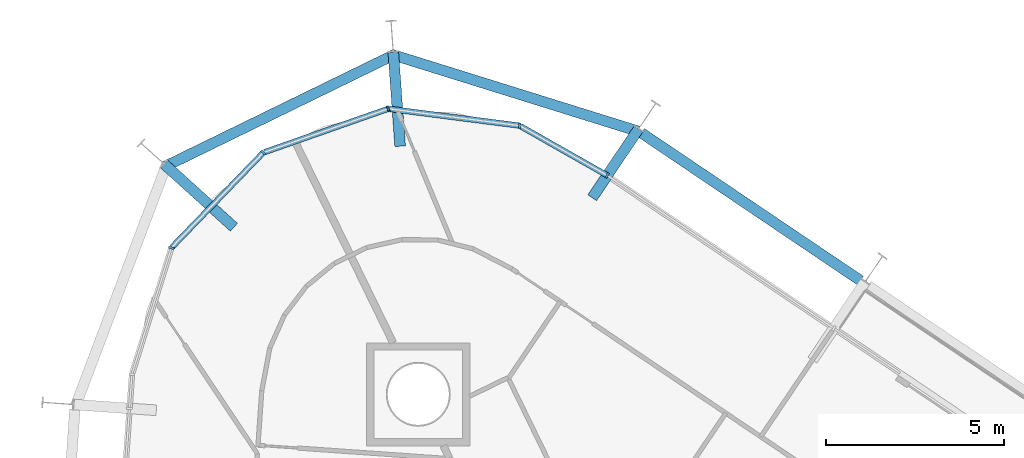
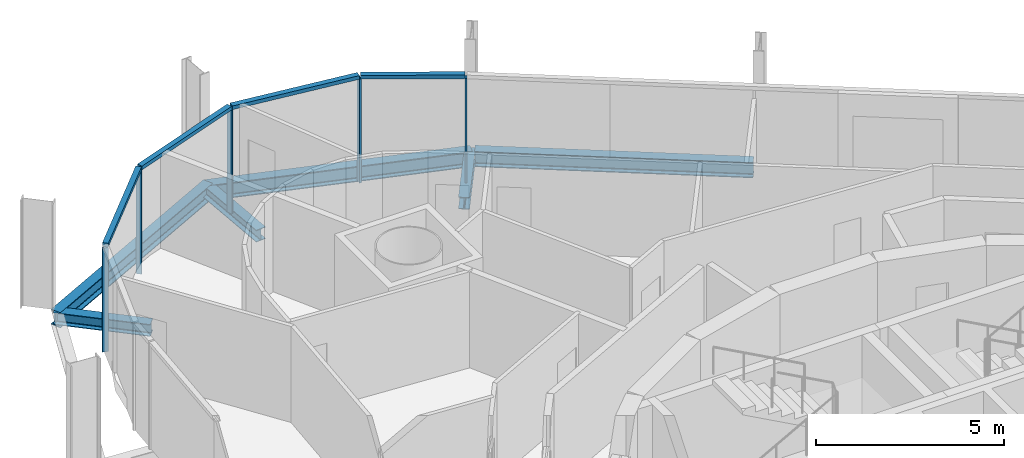
# One storey, part 8 of 18: 9 members, 6 beams, 1 element without a shape of its own.
"""IFC4 building model written with IfcOpenShell, lengths in metres."""

from ifc_helpers import new_model, si_unit, direction, frame, origin, origin_2d, place, context, subcontext, project, spatial, rectangle, i_section, extrude, material, layer, layer_set, material_profile, profile_set, type_object, element, aggregate, save


model = new_model("IFC4")

# Units and contexts
model_context = context("Model", 3, precision=1e-05, world=origin(), true_north=direction((0.0, 1.0)))
body_context = subcontext(model_context, "Body", "Model", "MODEL_VIEW")
ifc_project = project(units=[si_unit("LENGTHUNIT", "METRE"), si_unit("AREAUNIT", "SQUARE_METRE"), si_unit("VOLUMEUNIT", "CUBIC_METRE"), si_unit("PLANEANGLEUNIT", "RADIAN"), si_unit("MASSUNIT", "GRAM", prefix="KILO")], contexts=[model_context])

# Site, building, storey
site_placement = place(None, origin())
site = spatial("IfcSite", under=ifc_project, at=site_placement, CompositionType="ELEMENT")
building_placement = place(site_placement, origin())
building = spatial("IfcBuilding", under=site, at=building_placement, Name="Spindle Arch Residences", CompositionType="ELEMENT")
storey_placement = place(building_placement, frame((0.0, 0.0, 198.89990234375)))
storey = spatial("IfcBuildingStorey", under=building, at=storey_placement, Name="L50", CompositionType="ELEMENT", Elevation=198.89990234375)

# Curtain wall, members
ifc_material_1 = material(Name="Aluminium bronze unitised frame with tinted glass", Category="aluminium")
ifc_layer = layer(ifc_material_1, 0.159912109375)
ifc_layer_set = layer_set([ifc_layer], Name="CW-D corner wall on the fillet arcs")
curtain_wall_type = type_object("IfcCurtainWallType", Name="CW-D corner wall on the fillet arcs", PredefinedType="NOTDEFINED", material=ifc_layer_set)
curtain_wall_placement = place(storey_placement, origin())
curtain_wall = element("IfcCurtainWall", 1, at=curtain_wall_placement, inside=storey, type_object=curtain_wall_type, Name="CW-D L50 run 3", PredefinedType="NOTDEFINED")
ifc_material_2 = material(Name="Aluminium bronze anodised mullion", Category="aluminium")
ifc_material_profile_1 = material_profile(ifc_material_2, rectangle(XDim=0.159912109375, YDim=0.06005859375, at=origin_2d()), Name="MU 60x160")
ifc_profile_set_1 = profile_set([ifc_material_profile_1], Name="Aluminium bronze anodised mullion")
member_type_1 = type_object("IfcMemberType", Name="Bronze mullion 60x160", PredefinedType="MULLION", material=ifc_profile_set_1)
member_1_placement = place(storey_placement, frame((-3.608642578125, 24.46044921875, -0.3798828125), z_axis=(0.0, 0.0, 1.0), x_axis=(-0.493864780547, -0.86953871595, 0.0)))
member_1 = element("IfcMember", 2, at=member_1_placement, type_object=member_type_1, Name="CW-D mullion 00", PredefinedType="MULLION", context=body_context, shape_type="SweptSolid", body=[
    extrude(rectangle(XDim=0.159912109375, YDim=0.06005859375, at=origin_2d()), origin(), (0.0, 0.0, 1.0), 3.3798828125),
])
member_2_placement = place(storey_placement, frame((-6.07421875, 25.86083984375, -0.3798828125), z_axis=(0.0, 0.0, 1.0), x_axis=(-0.127641651888, -0.991820351023, 0.0)))
member_2 = element("IfcMember", 3, at=member_2_placement, type_object=member_type_1, Name="CW-D mullion 01", PredefinedType="MULLION", context=body_context, shape_type="SweptSolid", body=[
    extrude(rectangle(XDim=0.159912109375, YDim=0.06005859375, at=origin_2d()), origin(), (0.0, 0.0, 1.0), 3.3798828125),
])
member_3_placement = place(storey_placement, frame((-9.7705078125, 26.336669921875, -0.3798828125), z_axis=(0.0, 0.0, 1.0), x_axis=(0.331063412445, -0.943608508302, 0.0)))
member_3 = element("IfcMember", 4, at=member_3_placement, type_object=member_type_1, Name="CW-D mullion 02", PredefinedType="MULLION", context=body_context, shape_type="SweptSolid", body=[
    extrude(rectangle(XDim=0.159912109375, YDim=0.06005859375, at=origin_2d()), origin(), (0.0, 0.0, 1.0), 3.3798828125),
])
member_4_placement = place(storey_placement, frame((-13.287109375, 25.102783203125, -0.3798828125), z_axis=(0.0, 0.0, 1.0), x_axis=(0.719339801939, -0.694658368802, 0.0)))
member_4 = element("IfcMember", 5, at=member_4_placement, type_object=member_type_1, Name="CW-D mullion 03", PredefinedType="MULLION", context=body_context, shape_type="SweptSolid", body=[
    extrude(rectangle(XDim=0.159912109375, YDim=0.06005859375, at=origin_2d()), origin(), (0.0, 0.0, 1.0), 3.3798828125),
])
member_5_placement = place(storey_placement, frame((-15.8759765625, 22.421875, -0.3798828125), z_axis=(0.0, 0.0, 1.0), x_axis=(0.954587634064, -0.297930275218, 0.0)))
member_5 = element("IfcMember", 6, at=member_5_placement, type_object=member_type_1, Name="CW-D mullion 04", PredefinedType="MULLION", context=body_context, shape_type="SweptSolid", body=[
    extrude(rectangle(XDim=0.159912109375, YDim=0.06005859375, at=origin_2d()), origin(), (0.0, 0.0, 1.0), 3.3798828125),
])
ifc_material_3 = material(Name="Aluminium bronze anodised transom", Category="aluminium")
ifc_material_profile_2 = material_profile(ifc_material_3, rectangle(XDim=0.159912109375, YDim=0.1201171875, at=origin_2d()), Name="TR 120x160")
ifc_profile_set_2 = profile_set([ifc_material_profile_2], Name="Aluminium bronze anodised transom")
member_type_2 = type_object("IfcMemberType", Name="Bronze transom 120x160", PredefinedType="USERDEFINED", material=ifc_profile_set_2)
member_6_placement = place(storey_placement, frame((-3.634521484375, 24.475341796875, 3.06005859375), z_axis=(-0.869571592644, 0.493806890664, 0.0), x_axis=(-0.493806890664, -0.869571592644, 0.0)))
member_6 = element("IfcMember", 7, at=member_6_placement, type_object=member_type_2, Name="CW-D transom 00", ObjectType="TRANSOM", PredefinedType="USERDEFINED", context=body_context, shape_type="SweptSolid", body=[
    extrude(rectangle(XDim=0.159912109375, YDim=0.1201171875, at=origin_2d()), origin(), (0.0, 0.0, 1.0), 2.775634765625),
])
member_7_placement = place(storey_placement, frame((-6.10400390625, 25.86474609375, 3.06005859375), z_axis=(-0.991820609669, 0.127639642101, 0.0), x_axis=(-0.127639642101, -0.991820609669, 0.0)))
member_7 = element("IfcMember", 8, at=member_7_placement, type_object=member_type_2, Name="CW-D transom 01", ObjectType="TRANSOM", PredefinedType="USERDEFINED", context=body_context, shape_type="SweptSolid", body=[
    extrude(rectangle(XDim=0.159912109375, YDim=0.1201171875, at=origin_2d()), origin(), (0.0, 0.0, 1.0), 3.666748046875),
])
member_8_placement = place(storey_placement, frame((-9.798828125, 26.32666015625, 3.06005859375), z_axis=(-0.943613119154, -0.331050270141, 0.0), x_axis=(0.331050270141, -0.943613119154, 0.0)))
member_8 = element("IfcMember", 9, at=member_8_placement, type_object=member_type_2, Name="CW-D transom 02", ObjectType="TRANSOM", PredefinedType="USERDEFINED", context=body_context, shape_type="SweptSolid", body=[
    extrude(rectangle(XDim=0.159912109375, YDim=0.1201171875, at=origin_2d()), origin(), (0.0, 0.0, 1.0), 3.666748046875),
])
member_9_placement = place(storey_placement, frame((-13.307861328125, 25.081298828125, 3.06005859375), z_axis=(-0.694647982093, -0.719349832122, 0.0), x_axis=(0.719349832122, -0.694647982093, 0.0)))
member_9 = element("IfcMember", 10, at=member_9_placement, type_object=member_type_2, Name="CW-D transom 03", ObjectType="TRANSOM", PredefinedType="USERDEFINED", context=body_context, shape_type="SweptSolid", body=[
    extrude(rectangle(XDim=0.159912109375, YDim=0.1201171875, at=origin_2d()), origin(), (0.0, 0.0, 1.0), 3.666748046875),
])
aggregate(curtain_wall, [member_1, member_6, member_2, member_7, member_3, member_8, member_4, member_9, member_5])

# Beams
ifc_material_4 = material(Name="Steel S460ML, intumescent coating R 120", Category="steel")
ifc_material_profile_3 = material_profile(ifc_material_4, i_section(OverallWidth=0.300048828125, OverallDepth=0.5, WebThickness=0.014404296875, FlangeThickness=0.028076171875, FilletRadius=0.027099609375, at=origin_2d()), Name="HEB 500")
ifc_profile_set_3 = profile_set([ifc_material_profile_3], Name="Steel S460ML, intumescent coating R 120")
beam_type_1 = type_object("IfcBeamType", Name="Exoskeleton edge beam HEB 500", PredefinedType="BEAM", material=ifc_profile_set_3)
beam_1_placement = place(storey_placement, frame((3.517578125, 21.499267578125, -0.6298828125), z_axis=(-0.829031763913, 0.55920151504, 0.0), x_axis=(-0.55920151504, -0.829031763913, 0.0)))
element("IfcBeam", 11, at=beam_1_placement, inside=storey, type_object=beam_type_1, Name="Exoskeleton edge beam 9", PredefinedType="BEAM", context=body_context, shape_type="SweptSolid", body=[
    extrude(i_section(OverallWidth=0.300048828125, OverallDepth=0.5, WebThickness=0.014404296875, FlangeThickness=0.028076171875, FilletRadius=0.027099609375, at=origin_2d()), origin(), (0.0, 0.0, 1.0), 7.433837890625),
])
beam_2_placement = place(storey_placement, frame((-2.729248046875, 25.7001953125, -0.6298828125), z_axis=(-0.954689668885, 0.297603152072, 0.0), x_axis=(-0.297603152072, -0.954689668885, 0.0)))
element("IfcBeam", 12, at=beam_2_placement, inside=storey, type_object=beam_type_1, Name="Exoskeleton edge beam 10", PredefinedType="BEAM", context=body_context, shape_type="SweptSolid", body=[
    extrude(i_section(OverallWidth=0.300048828125, OverallDepth=0.5, WebThickness=0.014404296875, FlangeThickness=0.028076171875, FilletRadius=0.027099609375, at=origin_2d()), origin(), (0.0, 0.0, 1.0), 7.263427734375),
])
beam_3_placement = place(storey_placement, frame((-9.563720703125, 27.876708984375, -0.6298828125), z_axis=(-0.89878236333, -0.438395099616, 0.0), x_axis=(0.438395099616, -0.89878236333, 0.0)))
element("IfcBeam", 13, at=beam_3_placement, inside=storey, type_object=beam_type_1, Name="Exoskeleton edge beam 11", PredefinedType="BEAM", context=body_context, shape_type="SweptSolid", body=[
    extrude(i_section(OverallWidth=0.300048828125, OverallDepth=0.5, WebThickness=0.014404296875, FlangeThickness=0.028076171875, FilletRadius=0.027099609375, at=origin_2d()), origin(), (0.0, 0.0, 1.0), 7.2490234375),
])
ifc_material_5 = material(Name="Steel S460ML, intumescent coating R 120", Category="steel")
ifc_material_profile_4 = material_profile(ifc_material_5, i_section(OverallWidth=0.300048828125, OverallDepth=0.389892578125, WebThickness=0.010986328125, FlangeThickness=0.01904296875, FilletRadius=0.027099609375, at=origin_2d()), Name="HEA 400")
ifc_profile_set_4 = profile_set([ifc_material_profile_4], Name="Steel S460ML, intumescent coating R 120")
beam_type_2 = type_object("IfcBeamType", Name="Floor outrigger HEA 400", PredefinedType="BEAM", material=ifc_profile_set_4)
beam_4_placement = place(storey_placement, frame((-2.730712890625, 25.761962890625, -0.574951171875), z_axis=(-0.559170171593, -0.829052904947, 0.0), x_axis=(0.829052904947, -0.559170171593, 0.0)))
element("IfcBeam", 14, at=beam_4_placement, inside=storey, type_object=beam_type_2, Name="Floor outrigger 10", PredefinedType="BEAM", context=body_context, shape_type="SweptSolid", body=[
    extrude(i_section(OverallWidth=0.300048828125, OverallDepth=0.389892578125, WebThickness=0.010986328125, FlangeThickness=0.01904296875, FilletRadius=0.027099609375, at=origin_2d()), origin(), (0.0, 0.0, 1.0), 2.32763671875),
])
for number, where, z_axis, x_axis, name in (
    (15, (-9.62890625, 27.92529296875, -0.574951171875), (0.072870594007, -0.997341404199, 0.0), (0.997341404199, 0.072870594007, 0.0), "Floor outrigger 11"),
    (16, (-16.0771484375, 24.780029296875, -0.574951171875), (0.741072898018, -0.671424574932, 0.0), (0.671424574932, 0.741072898018, 0.0), "Floor outrigger 12"),
):
    element("IfcBeam", number, at=place(storey_placement, frame(where, z_axis=z_axis, x_axis=x_axis)), inside=storey, type_object=beam_type_2, Name=name, PredefinedType="BEAM", context=body_context, shape_type="SweptSolid", body=[
        extrude(i_section(OverallWidth=0.300048828125, OverallDepth=0.389892578125, WebThickness=0.010986328125, FlangeThickness=0.01904296875, FilletRadius=0.027099609375, at=origin_2d()), origin(), (0.0, 0.0, 1.0), 2.650146484375),
    ])

save(model, "model.ifc")
